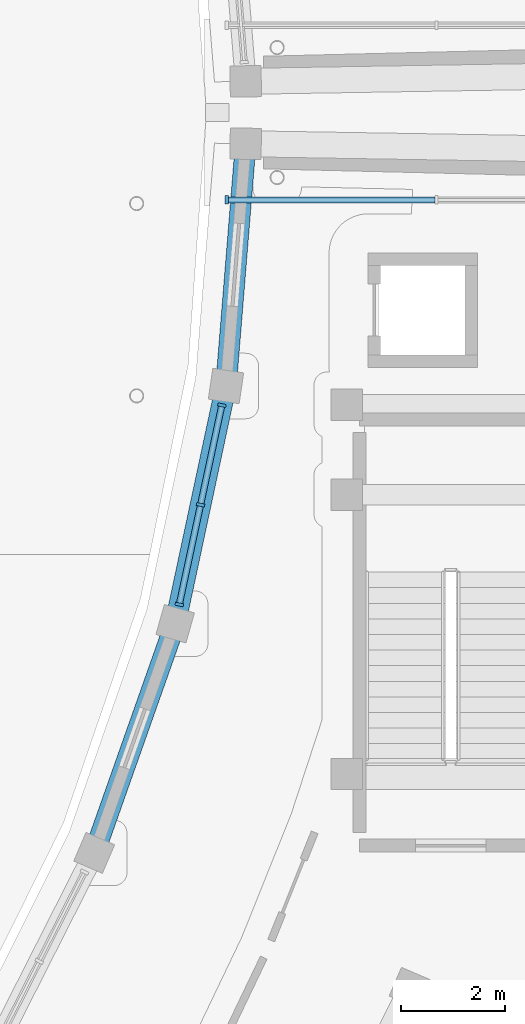
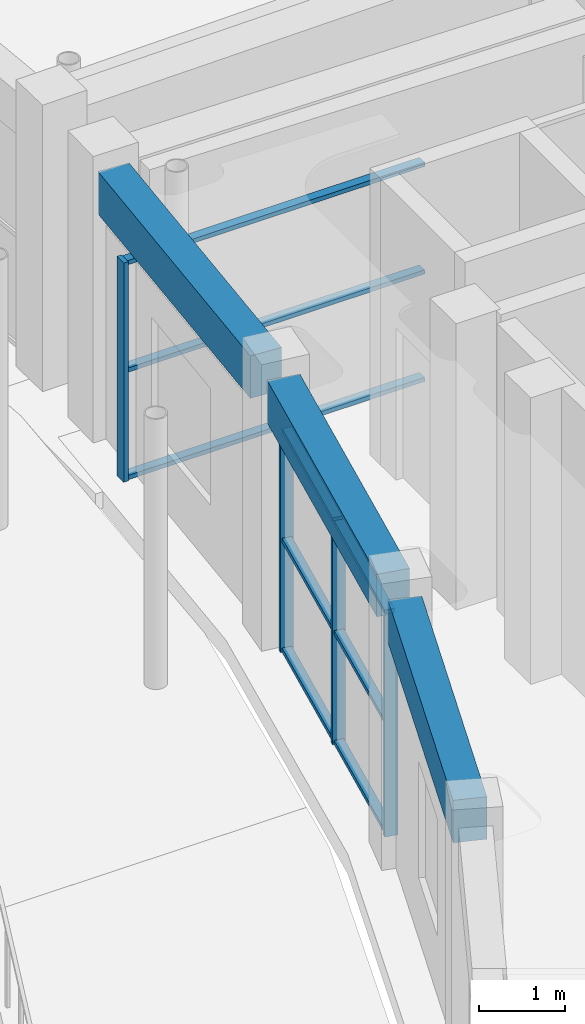
# One storey, part 32 of 83: 13 members, 3 beams, 2 elements without a shape of their own.
"""IFC4 building model written with IfcOpenShell, lengths in metres."""

from ifc_helpers import new_model, si_unit, direction, frame, origin, origin_2d, place, context, subcontext, project, spatial, rectangle, extrude, material, material_profile, profile_set, type_object, element, aggregate, save


model = new_model("IFC4")

# Units and contexts
model_context = context("Model", 3, precision=1e-05, world=origin(), true_north=direction((0.0, 1.0)))
body_context = subcontext(model_context, "Body", "Model", "MODEL_VIEW")
ifc_project = project(units=[si_unit("LENGTHUNIT", "METRE"), si_unit("AREAUNIT", "SQUARE_METRE"), si_unit("VOLUMEUNIT", "CUBIC_METRE"), si_unit("PLANEANGLEUNIT", "RADIAN"), si_unit("MASSUNIT", "GRAM", prefix="KILO")], contexts=[model_context])

# Site, building, storey
site_placement = place(None, origin())
site = spatial("IfcSite", under=ifc_project, at=site_placement, CompositionType="ELEMENT")
building_placement = place(site_placement, origin())
building = spatial("IfcBuilding", under=site, at=building_placement, Name="Saryqyr Civic Hall", CompositionType="ELEMENT")
storey_placement = place(building_placement, frame((0.0, 0.0, 9.14990234375)))
storey = spatial("IfcBuildingStorey", under=building, at=storey_placement, Name="L02", CompositionType="ELEMENT", Elevation=9.14990234375)

# Curtain wall, members
ifc_material_1 = material(Name="Anodised aluminium and triple low-E glass", Category="aluminium")
curtain_wall_type_1 = type_object("IfcCurtainWallType", Name="ENV-CW-STD-21", PredefinedType="NOTDEFINED", material=ifc_material_1)
curtain_wall_1_placement = place(storey_placement, origin())
curtain_wall_1 = element("IfcCurtainWall", 1, at=curtain_wall_1_placement, inside=storey, type_object=curtain_wall_type_1, Name="Curtain wall V5-CWI-L02-08", PredefinedType="NOTDEFINED")
ifc_material_2 = material(Name="Anodised aluminium", Category="aluminium")
ifc_material_profile_1 = material_profile(ifc_material_2, rectangle(XDim=0.06005859375, YDim=0.159912109375, at=origin_2d()), Name="ALU MULLION 60x160")
ifc_profile_set_1 = profile_set([ifc_material_profile_1], Name="Anodised aluminium")
member_type_1 = type_object("IfcMemberType", Name="ENV-CW-MUL-180", PredefinedType="MULLION", material=ifc_profile_set_1)
member_1_placement = place(storey_placement, frame((91.91796875, 74.537109375, 0.0), z_axis=(0.0, 0.0, 1.0), x_axis=(0.208899296688, 0.97793715741, 0.0)))
member_1 = element("IfcMember", 2, at=member_1_placement, type_object=member_type_1, Name="CW-21 mullion 1", PredefinedType="MULLION", context=body_context, shape_type="SweptSolid", body=[
    extrude(rectangle(XDim=0.06005859375, YDim=0.159912109375, at=origin_2d()), origin(), (0.0, 0.0, 1.0), 3.1650390625),
])
member_2_placement = place(storey_placement, frame((92.327392578125, 76.453857421875, 0.0), z_axis=(0.0, 0.0, 1.0), x_axis=(0.208899296688, 0.97793715741, 0.0)))
member_2 = element("IfcMember", 3, at=member_2_placement, type_object=member_type_1, Name="CW-21 mullion 2", PredefinedType="MULLION", context=body_context, shape_type="SweptSolid", body=[
    extrude(rectangle(XDim=0.06005859375, YDim=0.159912109375, at=origin_2d()), origin(), (0.0, 0.0, 1.0), 3.1650390625),
])
member_3_placement = place(storey_placement, frame((92.73681640625, 78.37060546875, 0.0), z_axis=(0.0, 0.0, 1.0), x_axis=(0.208899296688, 0.97793715741, 0.0)))
member_3 = element("IfcMember", 4, at=member_3_placement, type_object=member_type_1, Name="CW-21 mullion 3", PredefinedType="MULLION", context=body_context, shape_type="SweptSolid", body=[
    extrude(rectangle(XDim=0.06005859375, YDim=0.159912109375, at=origin_2d()), origin(), (0.0, 0.0, 1.0), 3.1650390625),
])

# Curtain wall, member
curtain_wall_type_2 = type_object("IfcCurtainWallType", Name="ENV-CW-STD-81", PredefinedType="NOTDEFINED", material=ifc_material_1)
curtain_wall_2_placement = place(storey_placement, origin())
curtain_wall_2 = element("IfcCurtainWall", 5, at=curtain_wall_2_placement, inside=storey, type_object=curtain_wall_type_2, Name="Curtain wall BR-E-CW1-L02", PredefinedType="NOTDEFINED")
member_4_placement = place(storey_placement, frame((92.830078125, 82.320068359375, 0.0), z_axis=(0.0, 0.0, 1.0), x_axis=(-1.0, 0.0, 0.0)))
member_4 = element("IfcMember", 6, at=member_4_placement, type_object=member_type_1, Name="CW-81 mullion 4", PredefinedType="MULLION", context=body_context, shape_type="SweptSolid", body=[
    extrude(rectangle(XDim=0.06005859375, YDim=0.159912109375, at=origin_2d()), origin(), (0.0, 0.0, 1.0), 3.10009765625),
])

# Member
ifc_material_profile_2 = material_profile(ifc_material_2, rectangle(XDim=0.1201171875, YDim=0.06005859375, at=origin_2d()), Name="ALU TRANSOM 120x60")
ifc_profile_set_2 = profile_set([ifc_material_profile_2], Name="Anodised aluminium")
member_type_2 = type_object("IfcMemberType", Name="ENV-CW-TRN-150", PredefinedType="USERDEFINED", material=ifc_profile_set_2)
member_5_placement = place(storey_placement, frame((91.92431640625, 74.56640625, 0.030029296875), z_axis=(0.208923581967, 0.977931969463, 0.0), x_axis=(-0.977931969463, 0.208923581967, 0.0)))
member_5 = element("IfcMember", 7, at=member_5_placement, type_object=member_type_2, Name="CW-21 transom 1.1", ObjectType="TRANSOM", PredefinedType="USERDEFINED", context=body_context, shape_type="SweptSolid", body=[
    extrude(rectangle(XDim=0.1201171875, YDim=0.06005859375, at=origin_2d()), origin(), (0.0, 0.0, 1.0), 1.900146484375),
])

member_6_placement = place(storey_placement, frame((91.92431640625, 74.56640625, 1.58203125), z_axis=(0.208923581967, 0.977931969463, 0.0), x_axis=(-0.977931969463, 0.208923581967, 0.0)))
member_6 = element("IfcMember", 8, at=member_6_placement, type_object=member_type_2, Name="CW-21 transom 1.2", ObjectType="TRANSOM", PredefinedType="USERDEFINED", context=body_context, shape_type="SweptSolid", body=[
    extrude(rectangle(XDim=0.1201171875, YDim=0.06005859375, at=origin_2d()), origin(), (0.0, 0.0, 1.0), 1.900146484375),
])

member_7_placement = place(storey_placement, frame((91.92431640625, 74.56640625, 3.135009765625), z_axis=(0.208923581967, 0.977931969463, 0.0), x_axis=(-0.977931969463, 0.208923581967, 0.0)))
member_7 = element("IfcMember", 9, at=member_7_placement, type_object=member_type_2, Name="CW-21 transom 1.3", ObjectType="TRANSOM", PredefinedType="USERDEFINED", context=body_context, shape_type="SweptSolid", body=[
    extrude(rectangle(XDim=0.1201171875, YDim=0.06005859375, at=origin_2d()), origin(), (0.0, 0.0, 1.0), 1.900146484375),
])

member_8_placement = place(storey_placement, frame((92.333740234375, 76.483154296875, 0.030029296875), z_axis=(0.208923581967, 0.977931969463, 0.0), x_axis=(-0.977931969463, 0.208923581967, 0.0)))
member_8 = element("IfcMember", 10, at=member_8_placement, type_object=member_type_2, Name="CW-21 transom 2.1", ObjectType="TRANSOM", PredefinedType="USERDEFINED", context=body_context, shape_type="SweptSolid", body=[
    extrude(rectangle(XDim=0.1201171875, YDim=0.06005859375, at=origin_2d()), origin(), (0.0, 0.0, 1.0), 1.900146484375),
])

member_9_placement = place(storey_placement, frame((92.333740234375, 76.483154296875, 1.58203125), z_axis=(0.208923581967, 0.977931969463, 0.0), x_axis=(-0.977931969463, 0.208923581967, 0.0)))
member_9 = element("IfcMember", 11, at=member_9_placement, type_object=member_type_2, Name="CW-21 transom 2.2", ObjectType="TRANSOM", PredefinedType="USERDEFINED", context=body_context, shape_type="SweptSolid", body=[
    extrude(rectangle(XDim=0.1201171875, YDim=0.06005859375, at=origin_2d()), origin(), (0.0, 0.0, 1.0), 1.900146484375),
])

member_10_placement = place(storey_placement, frame((92.333740234375, 76.483154296875, 3.135009765625), z_axis=(0.208923581967, 0.977931969463, 0.0), x_axis=(-0.977931969463, 0.208923581967, 0.0)))
member_10 = element("IfcMember", 12, at=member_10_placement, type_object=member_type_2, Name="CW-21 transom 2.3", ObjectType="TRANSOM", PredefinedType="USERDEFINED", context=body_context, shape_type="SweptSolid", body=[
    extrude(rectangle(XDim=0.1201171875, YDim=0.06005859375, at=origin_2d()), origin(), (0.0, 0.0, 1.0), 1.900146484375),
])

aggregate(curtain_wall_1, [member_1, member_2, member_3, member_5, member_6, member_7, member_8, member_9, member_10])

member_11_placement = place(storey_placement, frame((96.836669921875, 82.320068359375, 0.030029296875), z_axis=(-1.0, 0.0, 0.0), x_axis=(0.0, -1.0, 0.0)))
member_11 = element("IfcMember", 13, at=member_11_placement, type_object=member_type_2, Name="CW-81 transom 3.1", ObjectType="TRANSOM", PredefinedType="USERDEFINED", context=body_context, shape_type="SweptSolid", body=[
    extrude(rectangle(XDim=0.1201171875, YDim=0.06005859375, at=origin_2d()), origin(), (0.0, 0.0, 1.0), 3.9765625),
])

member_12_placement = place(storey_placement, frame((96.836669921875, 82.320068359375, 1.550048828125), z_axis=(-1.0, 0.0, 0.0), x_axis=(0.0, -1.0, 0.0)))
member_12 = element("IfcMember", 14, at=member_12_placement, type_object=member_type_2, Name="CW-81 transom 3.2", ObjectType="TRANSOM", PredefinedType="USERDEFINED", context=body_context, shape_type="SweptSolid", body=[
    extrude(rectangle(XDim=0.1201171875, YDim=0.06005859375, at=origin_2d()), origin(), (0.0, 0.0, 1.0), 3.9765625),
])

member_13_placement = place(storey_placement, frame((96.836669921875, 82.320068359375, 3.070068359375), z_axis=(-1.0, 0.0, 0.0), x_axis=(0.0, -1.0, 0.0)))
member_13 = element("IfcMember", 15, at=member_13_placement, type_object=member_type_2, Name="CW-81 transom 3.3", ObjectType="TRANSOM", PredefinedType="USERDEFINED", context=body_context, shape_type="SweptSolid", body=[
    extrude(rectangle(XDim=0.1201171875, YDim=0.06005859375, at=origin_2d()), origin(), (0.0, 0.0, 1.0), 3.9765625),
])

aggregate(curtain_wall_2, [member_4, member_11, member_12, member_13])

# Beams
ifc_material_3 = material(Name="Concrete C35/45", Category="concrete")
ifc_material_profile_3 = material_profile(ifc_material_3, rectangle(XDim=0.39990234375, YDim=0.60009765625, at=origin_2d()), Name="RC 400x600")
ifc_profile_set_3 = profile_set([ifc_material_profile_3], Name="Concrete C35/45")
beam_type = type_object("IfcBeamType", Name="STR-BM-RC400x600-EXT", PredefinedType="BEAM", material=ifc_profile_set_3)
beam_1_placement = place(storey_placement, frame((90.373046875, 70.018798828125, 3.489990234375), z_axis=(0.333185372097, 0.942861340718, 0.0), x_axis=(-0.942861340718, 0.333185372097, 0.0)))
element("IfcBeam", 16, at=beam_1_placement, inside=storey, type_object=beam_type, Name="Beam V5-CBM-IN07-L02", PredefinedType="BEAM", context=body_context, shape_type="SweptSolid", body=[
    extrude(rectangle(XDim=0.39990234375, YDim=0.60009765625, at=origin_2d()), origin(), (0.0, 0.0, 1.0), 4.12548828125),
])
beam_2_placement = place(storey_placement, frame((91.896484375, 74.436767578125, 3.489990234375), z_axis=(0.208914702751, 0.97793386636, 0.0), x_axis=(-0.97793386636, 0.208914702751, 0.0)))
element("IfcBeam", 17, at=beam_2_placement, inside=storey, type_object=beam_type, Name="Beam V5-CBM-IN08-L02", PredefinedType="BEAM", context=body_context, shape_type="SweptSolid", body=[
    extrude(rectangle(XDim=0.39990234375, YDim=0.60009765625, at=origin_2d()), origin(), (0.0, 0.0, 1.0), 4.125244140625),
])
beam_3_placement = place(storey_placement, frame((92.838134765625, 79.013916015625, 3.489990234375), z_axis=(0.081076463708, 0.996707884504, 0.0), x_axis=(-0.996707884504, 0.081076463708, 0.0)))
element("IfcBeam", 18, at=beam_3_placement, inside=storey, type_object=beam_type, Name="Beam V5-CBM-IN09-L02", PredefinedType="BEAM", context=body_context, shape_type="SweptSolid", body=[
    extrude(rectangle(XDim=0.39990234375, YDim=0.60009765625, at=origin_2d()), origin(), (0.0, 0.0, 1.0), 4.12548828125),
])

save(model, "model.ifc")
